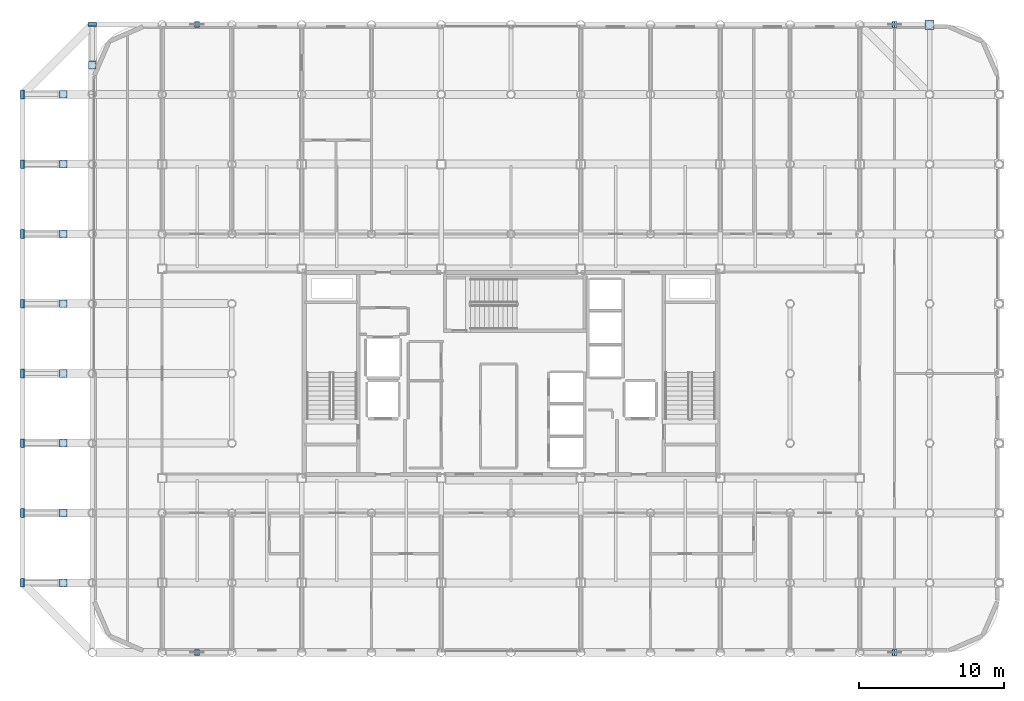
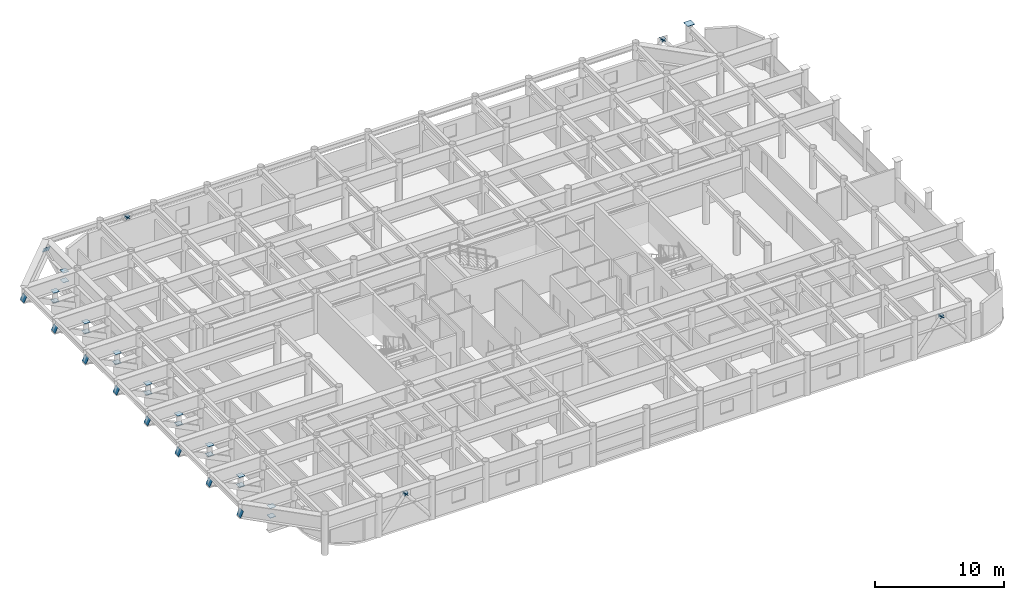
# One storey, part 21 of 27: 36 plates.
"""IFC4 building model written with IfcOpenShell, lengths in metres."""

import ifcopenshell
import ifcopenshell.guid

model = None  # the IFC model being written
_history = None  # IfcOwnerHistory: only IFC2X3 demands one
_inside = {}  # id of a spatial element -> (the spatial element, [elements in it])
_under = {}  # id of a project, library or spatial element -> (it, [spatial elements below it])
_declared = {}  # id of a project -> (the project, [libraries it declares])
_typed = {}  # id of a type object -> (the type object, [elements of that type])
_made_of = {}  # id of a material, layer set ... -> (it, [elements and type objects made of it])


def new_model(schema):
    """Start an empty IFC model of exactly this schema.

    Asked for "IFC4X3", IfcOpenShell would pick the latest addendum, in which some entities
    have other attributes; the version numbers below select the first issue.
    IFC2X3 requires an IfcOwnerHistory on every rooted entity: one is made here for all.
    """
    global model, _history
    if schema == "IFC4X3":
        model = ifcopenshell.file(schema_version=(4, 3, 0, 0))
    else:
        model = ifcopenshell.file(schema=schema)
    _inside.clear()
    _under.clear()
    _declared.clear()
    _typed.clear()
    _made_of.clear()
    _history = None
    if model.schema == "IFC2X3":
        org = make("IfcOrganization", Name="unknown")
        user = make(
            "IfcPersonAndOrganization",
            ThePerson=make("IfcPerson", FamilyName="unknown"),
            TheOrganization=org,
        )
        app = make(
            "IfcApplication",
            ApplicationDeveloper=org,
            Version="unknown",
            ApplicationFullName="unknown",
            ApplicationIdentifier="unknown",
        )
        _history = make(
            "IfcOwnerHistory",
            OwningUser=user,
            OwningApplication=app,
            ChangeAction="ADDED",
            CreationDate=0,
        )
    return model


def make(cls, **values):
    """One entity of the class cls with the attributes given. An attribute that is None is left unset."""
    return model.create_entity(
        cls, **{name: value for name, value in values.items() if value is not None}
    )


def rooted(cls, **values):
    """An entity with a GlobalId (a new one), such as an element, a storey or a relation."""
    return make(cls, GlobalId=ifcopenshell.guid.new(), OwnerHistory=_history, **values)


def si_unit(unit_type, name, prefix=None):
    """IfcSIUnit, for example si_unit("LENGTHUNIT", "METRE", prefix="MILLI")."""
    return make("IfcSIUnit", UnitType=unit_type, Prefix=prefix, Name=name)


def assignment(units):
    """IfcUnitAssignment: the units of a project."""
    return None if units is None else make("IfcUnitAssignment", Units=units)


def point(xyz):
    """IfcCartesianPoint."""
    return None if xyz is None else make("IfcCartesianPoint", Coordinates=xyz)


def direction(xyz):
    """IfcDirection."""
    return None if xyz is None else make("IfcDirection", DirectionRatios=xyz)


def frame(location, z_axis=None, x_axis=None):
    """IfcAxis2Placement3D, a coordinate frame: its origin and axes. An axis left out is left unset."""
    return make(
        "IfcAxis2Placement3D",
        Location=point(location),
        Axis=direction(z_axis),
        RefDirection=direction(x_axis),
    )


def frame_2d(location, x_axis=None):
    """IfcAxis2Placement2D, a coordinate frame in the plane: its origin and x axis."""
    return make(
        "IfcAxis2Placement2D", Location=point(location), RefDirection=direction(x_axis)
    )


def origin():
    """The frame at (0, 0, 0) with its axes left unset."""
    return frame((0.0, 0.0, 0.0))


def origin_2d():
    """The frame at (0, 0) in the plane with its x axis left unset."""
    return frame_2d((0.0, 0.0))


def place(relative_to, where):
    """IfcLocalPlacement: puts the frame where relative to a parent placement (None: the world)."""
    return make(
        "IfcLocalPlacement", PlacementRelTo=relative_to, RelativePlacement=where
    )


def context(
    kind, dimensions, precision=None, world=None, true_north=None, identifier=None
):
    """IfcGeometricRepresentationContext, for example the 3D "Model" context."""
    return make(
        "IfcGeometricRepresentationContext",
        ContextIdentifier=identifier,
        ContextType=kind,
        CoordinateSpaceDimension=dimensions,
        Precision=precision,
        WorldCoordinateSystem=world,
        TrueNorth=true_north,
    )


def subcontext(parent, identifier, kind, view, scale=None):
    """IfcGeometricRepresentationSubContext, for example "Body" below "Model"."""
    return make(
        "IfcGeometricRepresentationSubContext",
        ContextIdentifier=identifier,
        ContextType=kind,
        ParentContext=parent,
        TargetScale=scale,
        TargetView=view,
    )


def project(units=None, contexts=None):
    """IfcProject with its units and contexts."""
    return rooted(
        "IfcProject",
        Name="project",
        RepresentationContexts=contexts,
        UnitsInContext=assignment(units),
    )


def spatial(cls, under=None, at=None, **own):
    """A site, building, storey or space (cls), placed at a placement, below another one or the project."""
    s = rooted(cls, ObjectPlacement=at, **own)
    if under is not None:
        _under.setdefault(under.id(), (under, []))[1].append(s)
    return s


def polyline(points):
    """IfcPolyline through the points."""
    return make("IfcPolyline", Points=[point(p) for p in points])


def profile(cls, at=None, kind="AREA", **sizes):
    """A parametric profile (cls). Its sizes go by their IFC names, for example OverallWidth=200.0."""
    return make(cls, ProfileType=kind, Position=at, **sizes)


def rectangle(**sizes):
    """IfcRectangleProfileDef."""
    return profile("IfcRectangleProfileDef", **sizes)


def outline(outer, holes=None, kind="AREA"):
    """IfcArbitraryClosedProfileDef: a profile drawn as a closed curve; with holes, ...WithVoids."""
    if holes is None:
        return make("IfcArbitraryClosedProfileDef", ProfileType=kind, OuterCurve=outer)
    return make(
        "IfcArbitraryProfileDefWithVoids",
        ProfileType=kind,
        OuterCurve=outer,
        InnerCurves=holes,
    )


def extrude(swept, where, along, depth):
    """IfcExtrudedAreaSolid: the profile swept, set in the frame where, extruded along a direction by depth."""
    return make(
        "IfcExtrudedAreaSolid",
        SweptArea=swept,
        Position=where,
        ExtrudedDirection=direction(along),
        Depth=depth,
    )


def shape(context_of_items, identifier, shape_type, items):
    """IfcShapeRepresentation: the items that make up one representation, for example the "Body"."""
    return make(
        "IfcShapeRepresentation",
        ContextOfItems=context_of_items,
        RepresentationIdentifier=identifier,
        RepresentationType=shape_type,
        Items=items,
    )


def material(Name=None, Category=None):
    """IfcMaterial."""
    return make("IfcMaterial", Name=Name, Category=Category)


def layer(
    of_material, thickness, ventilated=None, Name=None, Category=None, Priority=None
):
    """IfcMaterialLayer: one layer of a wall or slab, of a material (None: an air gap)."""
    return make(
        "IfcMaterialLayer",
        Material=of_material,
        LayerThickness=thickness,
        IsVentilated=ventilated,
        Name=Name,
        Category=Category,
        Priority=Priority,
    )


def layer_set(layers, Name=None):
    """IfcMaterialLayerSet."""
    return make("IfcMaterialLayerSet", MaterialLayers=layers, LayerSetName=Name)


def made_of(thing, what):
    """Note that an element or type object is made of a material, layer set ...; save() writes the relation."""
    if what is not None:
        _made_of.setdefault(what.id(), (what, []))[1].append(thing)
    return thing


def type_object(cls, material=None, **own):
    """A type object (cls), such as IfcWallType, which elements share."""
    return made_of(rooted(cls, **own), material)


def element(
    cls,
    number,
    at=None,
    inside=None,
    cuts=None,
    type_object=None,
    material=None,
    context=None,
    identifier="Body",
    shape_type=None,
    held_by="IfcProductDefinitionShape",
    body=None,
    shapes=None,
    **own,
):
    """One element of the class cls, such as IfcWall. Its Tag is "e" and its number.

    at: its placement. inside: the storey or other place that contains it. cuts: it is an
    opening in that element (IfcRelVoidsElement). A single representation is given by context,
    identifier, shape_type and body (its items); several are given by shapes. held_by: the class
    of the entity that holds the representations. save() writes the other relations.
    """
    e = rooted(cls, Tag="e%d" % number, ObjectPlacement=at, **own)
    if body is not None:
        shapes = [shape(context, identifier, shape_type, body)]
    if shapes is not None:
        e.Representation = make(held_by, Representations=shapes)
    if inside is not None:
        _inside.setdefault(inside.id(), (inside, []))[1].append(e)
    if cuts is not None:
        rooted(
            "IfcRelVoidsElement", RelatingBuildingElement=cuts, RelatedOpeningElement=e
        )
    if type_object is not None:
        _typed.setdefault(type_object.id(), (type_object, []))[1].append(e)
    return made_of(e, material)


def aggregate(whole, parts):
    """IfcRelAggregates: a whole, such as a stair, and the parts it consists of."""
    return rooted("IfcRelAggregates", RelatingObject=whole, RelatedObjects=parts)


def save(model, path):
    """Write the relations noted so far, then the file.

    IfcRelAggregates (storeys below a building ...), IfcRelContainedInSpatialStructure (elements
    in a storey), IfcRelDefinesByType, IfcRelAssociatesMaterial and IfcRelDeclares: one each for
    every whole, place, type object, material and project.
    """
    for whole, parts in _under.values():
        aggregate(whole, parts)
    for where, things in _inside.values():
        rooted(
            "IfcRelContainedInSpatialStructure",
            RelatedElements=things,
            RelatingStructure=where,
        )
    for kind, things in _typed.values():
        rooted("IfcRelDefinesByType", RelatedObjects=things, RelatingType=kind)
    for what, things in _made_of.values():
        rooted("IfcRelAssociatesMaterial", RelatedObjects=things, RelatingMaterial=what)
    for by, libraries in _declared.values():
        rooted("IfcRelDeclares", RelatingContext=by, RelatedDefinitions=libraries)
    model.write(path)


model = new_model("IFC4")

# Units and contexts
model_context = context("Model", 3, precision=1e-05, world=origin(), true_north=direction((0.0, 1.0)))
body_context = subcontext(model_context, "Body", "Model", "MODEL_VIEW")
ifc_project = project(units=[si_unit("LENGTHUNIT", "METRE"), si_unit("AREAUNIT", "SQUARE_METRE"), si_unit("VOLUMEUNIT", "CUBIC_METRE"), si_unit("PLANEANGLEUNIT", "RADIAN"), si_unit("MASSUNIT", "GRAM", prefix="KILO")], contexts=[model_context])

# Site, building, storey
site_placement = place(None, origin())
site = spatial("IfcSite", under=ifc_project, at=site_placement, CompositionType="ELEMENT")
building_placement = place(site_placement, origin())
building = spatial("IfcBuilding", under=site, at=building_placement, Name="Kallvorn Hotel Tower", CompositionType="ELEMENT")
storey_placement = place(building_placement, frame((0.0, 0.0, 245.39990234375)))
storey = spatial("IfcBuildingStorey", under=building, at=storey_placement, Name="L61", CompositionType="ELEMENT", Elevation=245.39990234375)

# Plates
ifc_material = material(Name="Structural steel S355JR", Category="steel")
ifc_layer = layer(ifc_material, 0.030029296875)
ifc_layer_set = layer_set([ifc_layer], Name="PLT_CAP_30")
plate_type = type_object("IfcPlateType", Name="PLT_CAP_30", PredefinedType="SHEET", material=ifc_layer_set)
plate_1_placement = place(storey_placement, frame((28.800048828125, 24.0, 3.85009765625), z_axis=(0.0, 0.0, 1.0), x_axis=(1.0, 0.0, 0.0)))
element("IfcPlate", 1, at=plate_1_placement, inside=storey, type_object=plate_type, Name="L61 Hollow Column Top End Cap Plate 0269", PredefinedType="SHEET", context=body_context, shape_type="SweptSolid", body=[
    extrude(rectangle(XDim=0.638916015625, YDim=0.638916015625, at=origin_2d()), origin(), (0.0, 0.0, 1.0), 0.030029296875),
])
for number, where, z_axis, x_axis, name in (
    (2, (-30.800048828125, -14.39990234375, 1.3701171875), (0.0, 0.0, 1.0), (1.0, 0.0, 0.0), "L61 Prop Column End Cap Plate 01B"),
    (3, (-30.800048828125, -14.39990234375, 2.2900390625), (0.0, 0.0, 1.0), (1.0, 0.0, 0.0), "L61 Prop Column End Cap Plate 01T"),
):
    element("IfcPlate", number, at=place(storey_placement, frame(where, z_axis=z_axis, x_axis=x_axis)), inside=storey, type_object=plate_type, Name=name, PredefinedType="SHEET", context=body_context, shape_type="SweptSolid", body=[
        extrude(rectangle(XDim=0.52001953125, YDim=0.52001953125, at=origin_2d()), origin(), (0.0, 0.0, 1.0), 0.030029296875),
    ])
plate_2_placement = place(storey_placement, frame((-33.759765625, -14.10009765625, 2.364501953125), z_axis=(-0.896614173431, 0.0, 0.442812628549), x_axis=(0.0, -1.0, 0.0)))
element("IfcPlate", 4, at=plate_2_placement, inside=storey, type_object=plate_type, Name="L61 Cantilever Strut Node Cap 01", PredefinedType="SHEET", context=body_context, shape_type="SweptSolid", body=[
    extrude(outline(polyline([(0.0, 0.0), (0.599853515625, 0.0), (0.599853515625, 0.5998586826001011), (0.0, 0.5998586826001011), (0.0, 0.0)])), origin(), (0.0, 0.0, -1.0), 0.030029296875),
])
for number, where, z_axis, x_axis, name in (
    (5, (-30.800048828125, -9.60009765625, 1.3701171875), (0.0, 0.0, 1.0), (1.0, 0.0, 0.0), "L61 Prop Column End Cap Plate 02B"),
    (6, (-30.800048828125, -9.60009765625, 2.2900390625), (0.0, 0.0, 1.0), (1.0, 0.0, 0.0), "L61 Prop Column End Cap Plate 02T"),
):
    element("IfcPlate", number, at=place(storey_placement, frame(where, z_axis=z_axis, x_axis=x_axis)), inside=storey, type_object=plate_type, Name=name, PredefinedType="SHEET", context=body_context, shape_type="SweptSolid", body=[
        extrude(rectangle(XDim=0.52001953125, YDim=0.52001953125, at=origin_2d()), origin(), (0.0, 0.0, 1.0), 0.030029296875),
    ])
plate_3_placement = place(storey_placement, frame((-33.759765625, -9.300048828125, 2.364501953125), z_axis=(-0.896614173431, 0.0, 0.442812628549), x_axis=(0.0, -1.0, 0.0)))
element("IfcPlate", 7, at=plate_3_placement, inside=storey, type_object=plate_type, Name="L61 Cantilever Strut Node Cap 02", PredefinedType="SHEET", context=body_context, shape_type="SweptSolid", body=[
    extrude(outline(polyline([(0.0, 0.0), (0.599853515625, 0.0), (0.599853515625, 0.5998586826001011), (0.0, 0.5998586826001011), (0.0, 0.0)])), origin(), (0.0, 0.0, -1.0), 0.030029296875),
])
for number, where, z_axis, x_axis, name in (
    (8, (-30.800048828125, -4.800048828125, 1.3701171875), (0.0, 0.0, 1.0), (1.0, 0.0, 0.0), "L61 Prop Column End Cap Plate 03B"),
    (9, (-30.800048828125, -4.800048828125, 2.2900390625), (0.0, 0.0, 1.0), (1.0, 0.0, 0.0), "L61 Prop Column End Cap Plate 03T"),
):
    element("IfcPlate", number, at=place(storey_placement, frame(where, z_axis=z_axis, x_axis=x_axis)), inside=storey, type_object=plate_type, Name=name, PredefinedType="SHEET", context=body_context, shape_type="SweptSolid", body=[
        extrude(rectangle(XDim=0.52001953125, YDim=0.52001953125, at=origin_2d()), origin(), (0.0, 0.0, 1.0), 0.030029296875),
    ])
plate_4_placement = place(storey_placement, frame((-33.759765625, -4.5, 2.364501953125), z_axis=(-0.896614173431, 0.0, 0.442812628549), x_axis=(0.0, -1.0, 0.0)))
element("IfcPlate", 10, at=plate_4_placement, inside=storey, type_object=plate_type, Name="L61 Cantilever Strut Node Cap 03", PredefinedType="SHEET", context=body_context, shape_type="SweptSolid", body=[
    extrude(outline(polyline([(0.0, 0.0), (0.60009765625, 0.0), (0.60009765625, 0.5998586826001011), (0.0, 0.5998586826001011), (0.0, 0.0)])), origin(), (0.0, 0.0, -1.0), 0.030029296875),
])
for number, where, z_axis, x_axis, name in (
    (11, (-30.800048828125, 0.0, 1.3701171875), (0.0, 0.0, 1.0), (1.0, 0.0, 0.0), "L61 Prop Column End Cap Plate 04B"),
    (12, (-30.800048828125, 0.0, 2.2900390625), (0.0, 0.0, 1.0), (1.0, 0.0, 0.0), "L61 Prop Column End Cap Plate 04T"),
):
    element("IfcPlate", number, at=place(storey_placement, frame(where, z_axis=z_axis, x_axis=x_axis)), inside=storey, type_object=plate_type, Name=name, PredefinedType="SHEET", context=body_context, shape_type="SweptSolid", body=[
        extrude(rectangle(XDim=0.52001953125, YDim=0.52001953125, at=origin_2d()), origin(), (0.0, 0.0, 1.0), 0.030029296875),
    ])
plate_5_placement = place(storey_placement, frame((-33.759765625, 0.300048828125, 2.364501953125), z_axis=(-0.896614173431, 0.0, 0.442812628549), x_axis=(0.0, -1.0, 0.0)))
element("IfcPlate", 13, at=plate_5_placement, inside=storey, type_object=plate_type, Name="L61 Cantilever Strut Node Cap 04", PredefinedType="SHEET", context=body_context, shape_type="SweptSolid", body=[
    extrude(outline(polyline([(0.0, 0.0), (0.60009765625, 0.0), (0.60009765625, 0.5998586826001011), (0.0, 0.5998586826001011), (0.0, 0.0)])), origin(), (0.0, 0.0, -1.0), 0.030029296875),
])
for number, where, z_axis, x_axis, name in (
    (14, (-30.800048828125, 4.800048828125, 1.3701171875), (0.0, 0.0, 1.0), (1.0, 0.0, 0.0), "L61 Prop Column End Cap Plate 05B"),
    (15, (-30.800048828125, 4.800048828125, 2.2900390625), (0.0, 0.0, 1.0), (1.0, 0.0, 0.0), "L61 Prop Column End Cap Plate 05T"),
):
    element("IfcPlate", number, at=place(storey_placement, frame(where, z_axis=z_axis, x_axis=x_axis)), inside=storey, type_object=plate_type, Name=name, PredefinedType="SHEET", context=body_context, shape_type="SweptSolid", body=[
        extrude(rectangle(XDim=0.52001953125, YDim=0.52001953125, at=origin_2d()), origin(), (0.0, 0.0, 1.0), 0.030029296875),
    ])
plate_6_placement = place(storey_placement, frame((-33.759765625, 5.10009765625, 2.364501953125), z_axis=(-0.896614173431, 0.0, 0.442812628549), x_axis=(0.0, -1.0, 0.0)))
element("IfcPlate", 16, at=plate_6_placement, inside=storey, type_object=plate_type, Name="L61 Cantilever Strut Node Cap 05", PredefinedType="SHEET", context=body_context, shape_type="SweptSolid", body=[
    extrude(outline(polyline([(0.0, 0.0), (0.60009765625, 0.0), (0.60009765625, 0.5998586826001011), (0.0, 0.5998586826001011), (0.0, 0.0)])), origin(), (0.0, 0.0, -1.0), 0.030029296875),
])
for number, where, z_axis, x_axis, name in (
    (17, (-30.800048828125, 9.60009765625, 1.3701171875), (0.0, 0.0, 1.0), (1.0, 0.0, 0.0), "L61 Prop Column End Cap Plate 06B"),
    (18, (-30.800048828125, 9.60009765625, 2.2900390625), (0.0, 0.0, 1.0), (1.0, 0.0, 0.0), "L61 Prop Column End Cap Plate 06T"),
):
    element("IfcPlate", number, at=place(storey_placement, frame(where, z_axis=z_axis, x_axis=x_axis)), inside=storey, type_object=plate_type, Name=name, PredefinedType="SHEET", context=body_context, shape_type="SweptSolid", body=[
        extrude(rectangle(XDim=0.52001953125, YDim=0.52001953125, at=origin_2d()), origin(), (0.0, 0.0, 1.0), 0.030029296875),
    ])
plate_7_placement = place(storey_placement, frame((-33.759765625, 9.89990234375, 2.364501953125), z_axis=(-0.896614173431, 0.0, 0.442812628549), x_axis=(0.0, -1.0, 0.0)))
element("IfcPlate", 19, at=plate_7_placement, inside=storey, type_object=plate_type, Name="L61 Cantilever Strut Node Cap 06", PredefinedType="SHEET", context=body_context, shape_type="SweptSolid", body=[
    extrude(outline(polyline([(0.0, 0.0), (0.599853515625, 0.0), (0.599853515625, 0.5998586826001011), (0.0, 0.5998586826001011), (0.0, 0.0)])), origin(), (0.0, 0.0, -1.0), 0.030029296875),
])
for number, where, z_axis, x_axis, name in (
    (20, (-30.800048828125, 14.39990234375, 1.3701171875), (0.0, 0.0, 1.0), (1.0, 0.0, 0.0), "L61 Prop Column End Cap Plate 07B"),
    (21, (-30.800048828125, 14.39990234375, 2.2900390625), (0.0, 0.0, 1.0), (1.0, 0.0, 0.0), "L61 Prop Column End Cap Plate 07T"),
):
    element("IfcPlate", number, at=place(storey_placement, frame(where, z_axis=z_axis, x_axis=x_axis)), inside=storey, type_object=plate_type, Name=name, PredefinedType="SHEET", context=body_context, shape_type="SweptSolid", body=[
        extrude(rectangle(XDim=0.52001953125, YDim=0.52001953125, at=origin_2d()), origin(), (0.0, 0.0, 1.0), 0.030029296875),
    ])
plate_8_placement = place(storey_placement, frame((-33.759765625, 14.699951171875, 2.364501953125), z_axis=(-0.896614173431, 0.0, 0.442812628549), x_axis=(0.0, -1.0, 0.0)))
element("IfcPlate", 22, at=plate_8_placement, inside=storey, type_object=plate_type, Name="L61 Cantilever Strut Node Cap 07", PredefinedType="SHEET", context=body_context, shape_type="SweptSolid", body=[
    extrude(outline(polyline([(0.0, 0.0), (0.599853515625, 0.0), (0.599853515625, 0.5998586826001011), (0.0, 0.5998586826001011), (0.0, 0.0)])), origin(), (0.0, 0.0, -1.0), 0.030029296875),
])
for number, where, z_axis, x_axis, name in (
    (23, (-30.800048828125, 19.199951171875, 1.3701171875), (0.0, 0.0, 1.0), (1.0, 0.0, 0.0), "L61 Prop Column End Cap Plate 08B"),
    (24, (-30.800048828125, 19.199951171875, 2.2900390625), (0.0, 0.0, 1.0), (1.0, 0.0, 0.0), "L61 Prop Column End Cap Plate 08T"),
):
    element("IfcPlate", number, at=place(storey_placement, frame(where, z_axis=z_axis, x_axis=x_axis)), inside=storey, type_object=plate_type, Name=name, PredefinedType="SHEET", context=body_context, shape_type="SweptSolid", body=[
        extrude(rectangle(XDim=0.52001953125, YDim=0.52001953125, at=origin_2d()), origin(), (0.0, 0.0, 1.0), 0.030029296875),
    ])
plate_9_placement = place(storey_placement, frame((-33.759765625, 19.5, 2.364501953125), z_axis=(-0.896614173431, 0.0, 0.442812628549), x_axis=(0.0, -1.0, 0.0)))
element("IfcPlate", 25, at=plate_9_placement, inside=storey, type_object=plate_type, Name="L61 Cantilever Strut Node Cap 08", PredefinedType="SHEET", context=body_context, shape_type="SweptSolid", body=[
    extrude(outline(polyline([(0.0, 0.0), (0.60009765625, 0.0), (0.60009765625, 0.5998586826001011), (0.0, 0.5998586826001011), (0.0, 0.0)])), origin(), (0.0, 0.0, -1.0), 0.030029296875),
])
for number, where, z_axis, x_axis, name in (
    (26, (-28.800048828125, 21.199951171875, 1.3701171875), (0.0, 0.0, 1.0), (1.0, 0.0, 0.0), "L61 Prop Column End Cap Plate 09B"),
    (27, (-28.800048828125, 21.199951171875, 2.2900390625), (0.0, 0.0, 1.0), (1.0, 0.0, 0.0), "L61 Prop Column End Cap Plate 09T"),
):
    element("IfcPlate", number, at=place(storey_placement, frame(where, z_axis=z_axis, x_axis=x_axis)), inside=storey, type_object=plate_type, Name=name, PredefinedType="SHEET", context=body_context, shape_type="SweptSolid", body=[
        extrude(rectangle(XDim=0.52001953125, YDim=0.52001953125, at=origin_2d()), origin(), (0.0, 0.0, 1.0), 0.030029296875),
    ])
plate_10_placement = place(storey_placement, frame((-28.5, 24.15966796875, 2.364501953125), z_axis=(0.0, 0.896614173431, 0.442812628549), x_axis=(-1.0, 0.0, 0.0)))
element("IfcPlate", 28, at=plate_10_placement, inside=storey, type_object=plate_type, Name="L61 Cantilever Strut Node Cap 09", PredefinedType="SHEET", context=body_context, shape_type="SweptSolid", body=[
    extrude(outline(polyline([(0.0, 0.0), (0.60009765625, 0.0), (0.60009765625, 0.5998586826001011), (0.0, 0.5998586826001011), (0.0, 0.0)])), origin(), (0.0, 0.0, -1.0), 0.030029296875),
])
plate_11_placement = place(storey_placement, frame((-21.435546875, -19.40185546875, 3.092529296875), z_axis=(0.620780353498, 0.0, 0.783984536015), x_axis=(0.0, 1.0, 0.0)))
element("IfcPlate", 29, at=plate_11_placement, inside=storey, type_object=plate_type, Name="EXO-L61-S1A End Cap Plate B", PredefinedType="SHEET", context=body_context, shape_type="SweptSolid", body=[
    extrude(outline(polyline([(0.0, 0.0), (0.40380859375, 0.0), (0.40380859375, 0.40389877105813043), (0.0, 0.40389877105813043), (0.0, 0.0)])), origin(), (0.0, 0.0, -1.0), 0.030029296875),
])
plate_12_placement = place(storey_placement, frame((-21.764404296875, -18.998046875, 3.092529296875), z_axis=(-0.621074629096, 0.0, 0.78375143068), x_axis=(0.0, -1.0, 0.0)))
element("IfcPlate", 30, at=plate_12_placement, inside=storey, type_object=plate_type, Name="EXO-L61-S1B End Cap Plate B", PredefinedType="SHEET", context=body_context, shape_type="SweptSolid", body=[
    extrude(outline(polyline([(0.0, 0.0), (0.40380859375, 0.0), (0.40380859375, 0.4037073970320156), (0.0, 0.4037073970320156), (0.0, 0.0)])), origin(), (0.0, 0.0, -1.0), 0.030029296875),
])
plate_13_placement = place(storey_placement, frame((26.564453125, -19.40185546875, 3.092529296875), z_axis=(0.620780353498, 0.0, 0.783984536015), x_axis=(0.0, 1.0, 0.0)))
element("IfcPlate", 31, at=plate_13_placement, inside=storey, type_object=plate_type, Name="EXO-L61-S2A End Cap Plate B", PredefinedType="SHEET", context=body_context, shape_type="SweptSolid", body=[
    extrude(outline(polyline([(0.0, 0.0), (0.40380859375, 0.0), (0.40380859375, 0.40389877105813043), (0.0, 0.40389877105813043), (0.0, 0.0)])), origin(), (0.0, 0.0, -1.0), 0.030029296875),
])
plate_14_placement = place(storey_placement, frame((26.235595703125, -18.998046875, 3.092529296875), z_axis=(-0.621074629096, 0.0, 0.78375143068), x_axis=(0.0, -1.0, 0.0)))
element("IfcPlate", 32, at=plate_14_placement, inside=storey, type_object=plate_type, Name="EXO-L61-S2B End Cap Plate B", PredefinedType="SHEET", context=body_context, shape_type="SweptSolid", body=[
    extrude(outline(polyline([(0.0, 0.0), (0.40380859375, 0.0), (0.40380859375, 0.4037073970320156), (0.0, 0.4037073970320156), (0.0, 0.0)])), origin(), (0.0, 0.0, -1.0), 0.030029296875),
])
plate_15_placement = place(storey_placement, frame((-21.435546875, 23.798095703125, 3.092529296875), z_axis=(0.620780353498, 0.0, 0.783984536015), x_axis=(0.0, 1.0, 0.0)))
element("IfcPlate", 33, at=plate_15_placement, inside=storey, type_object=plate_type, Name="EXO-L61-N1A End Cap Plate B", PredefinedType="SHEET", context=body_context, shape_type="SweptSolid", body=[
    extrude(outline(polyline([(0.0, 0.0), (0.40380859375, 0.0), (0.40380859375, 0.40389877105813043), (0.0, 0.40389877105813043), (0.0, 0.0)])), origin(), (0.0, 0.0, -1.0), 0.030029296875),
])
plate_16_placement = place(storey_placement, frame((-21.764404296875, 24.201904296875, 3.092529296875), z_axis=(-0.621074629096, 0.0, 0.78375143068), x_axis=(0.0, -1.0, 0.0)))
element("IfcPlate", 34, at=plate_16_placement, inside=storey, type_object=plate_type, Name="EXO-L61-N1B End Cap Plate B", PredefinedType="SHEET", context=body_context, shape_type="SweptSolid", body=[
    extrude(outline(polyline([(0.0, 0.0), (0.40380859375, 0.0), (0.40380859375, 0.4037073970320156), (0.0, 0.4037073970320156), (0.0, 0.0)])), origin(), (0.0, 0.0, -1.0), 0.030029296875),
])
plate_17_placement = place(storey_placement, frame((26.564453125, 23.798095703125, 3.092529296875), z_axis=(0.620780353498, 0.0, 0.783984536015), x_axis=(0.0, 1.0, 0.0)))
element("IfcPlate", 35, at=plate_17_placement, inside=storey, type_object=plate_type, Name="EXO-L61-N2A End Cap Plate B", PredefinedType="SHEET", context=body_context, shape_type="SweptSolid", body=[
    extrude(outline(polyline([(0.0, 0.0), (0.40380859375, 0.0), (0.40380859375, 0.40389877105813043), (0.0, 0.40389877105813043), (0.0, 0.0)])), origin(), (0.0, 0.0, -1.0), 0.030029296875),
])
plate_18_placement = place(storey_placement, frame((26.235595703125, 24.201904296875, 3.092529296875), z_axis=(-0.621074629096, 0.0, 0.78375143068), x_axis=(0.0, -1.0, 0.0)))
element("IfcPlate", 36, at=plate_18_placement, inside=storey, type_object=plate_type, Name="EXO-L61-N2B End Cap Plate B", PredefinedType="SHEET", context=body_context, shape_type="SweptSolid", body=[
    extrude(outline(polyline([(0.0, 0.0), (0.40380859375, 0.0), (0.40380859375, 0.4037073970320156), (0.0, 0.4037073970320156), (0.0, 0.0)])), origin(), (0.0, 0.0, -1.0), 0.030029296875),
])

save(model, "model.ifc")
